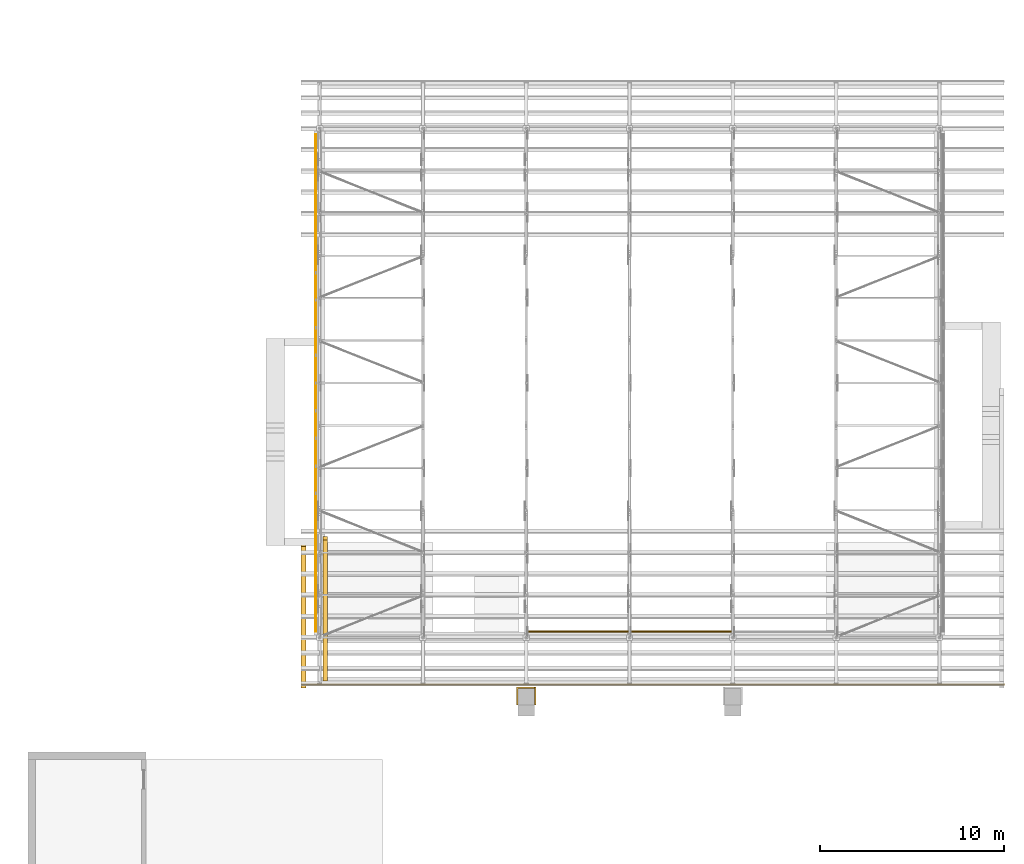
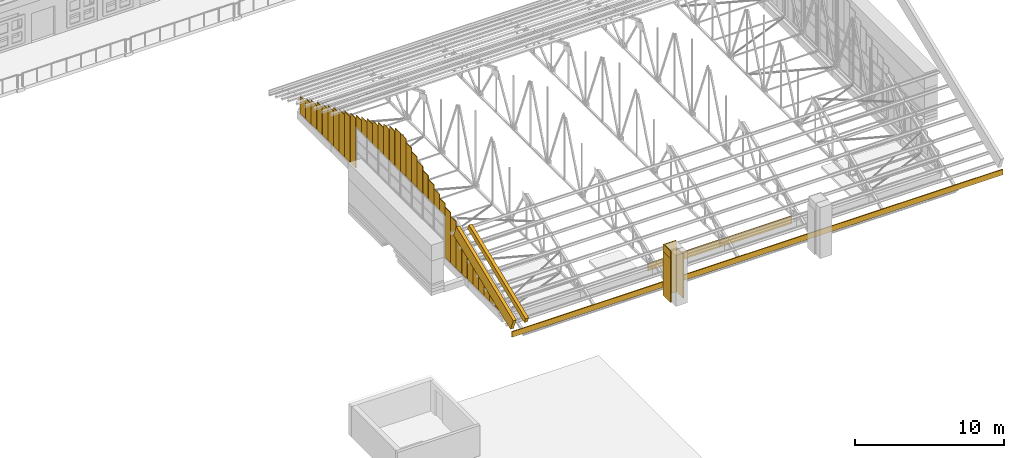
# One storey, part 65 of 71: 36 shading devices, 7 coverings.
"""IFC4 building model written with IfcOpenShell, lengths in metres."""

from ifc_helpers import new_model, si_unit, direction, frame, origin, origin_2d, place, context, subcontext, project, spatial, polyline, rectangle, outline, extrude, material, layer, layer_set, material_profile, profile_set, type_object, element, save


model = new_model("IFC4")

# Units and contexts
model_context = context("Model", 3, precision=1e-05, world=origin(), true_north=direction((0.0, 1.0)))
body_context = subcontext(model_context, "Body", "Model", "MODEL_VIEW")
ifc_project = project(units=[si_unit("LENGTHUNIT", "METRE"), si_unit("AREAUNIT", "SQUARE_METRE"), si_unit("VOLUMEUNIT", "CUBIC_METRE"), si_unit("PLANEANGLEUNIT", "RADIAN"), si_unit("MASSUNIT", "GRAM", prefix="KILO")], contexts=[model_context])

# Site, building, storey
site_placement = place(None, origin())
site = spatial("IfcSite", under=ifc_project, at=site_placement, CompositionType="ELEMENT")
building_placement = place(site_placement, origin())
building = spatial("IfcBuilding", under=site, at=building_placement, Name="Wasatch Bagh Community Centre", CompositionType="ELEMENT")
storey_placement = place(building_placement, frame((0.0, 0.0, 12.60009765625)))
storey = spatial("IfcBuildingStorey", under=building, at=storey_placement, Name="L03", CompositionType="ELEMENT", Elevation=12.60009765625)

# Coverings
ifc_material_1 = material(Name="Cast stone cladding", Category="masonry")
ifc_layer_1 = layer(ifc_material_1, 0.080078125)
ifc_layer_set_1 = layer_set([ifc_layer_1], Name="Cast stone cladding")
covering_type_1 = type_object("IfcCoveringType", Name="CL-B7 beam facing", PredefinedType="CLADDING", material=ifc_layer_set_1)
covering_1_placement = place(storey_placement, origin())
element("IfcCovering", 1, at=covering_1_placement, inside=storey, type_object=covering_type_1, Name="Beam facing", PredefinedType="CLADDING", context=body_context, shape_type="SweptSolid", body=[
    extrude(outline(polyline([(123.39990234375, 38.5), (129.0, 38.5), (129.0, 38.580078125), (123.39990234375, 38.580078125), (123.39990234375, 38.5)])), origin(), (0.0, 0.0, 1.0), 0.599853515625),
])
covering_2_placement = place(storey_placement, origin())
element("IfcCovering", 2, at=covering_2_placement, inside=storey, type_object=covering_type_1, Name="Beam facing", PredefinedType="CLADDING", context=body_context, shape_type="SweptSolid", body=[
    extrude(outline(polyline([(129.0, 38.5), (134.60009765625, 38.5), (134.60009765625, 38.580078125), (129.0, 38.580078125), (129.0, 38.5)])), origin(), (0.0, 0.0, 1.0), 0.599853515625),
])
ifc_layer_2 = layer(ifc_material_1, 0.080078125)
ifc_layer_set_2 = layer_set([ifc_layer_2], Name="Cast stone cladding")
covering_type_2 = type_object("IfcCoveringType", Name="CL-C1 column facing", PredefinedType="CLADDING", material=ifc_layer_set_2)
covering_3_placement = place(storey_placement, origin())
element("IfcCovering", 3, at=covering_3_placement, inside=storey, type_object=covering_type_2, Name="Column facing", PredefinedType="CLADDING", context=body_context, shape_type="SweptSolid", body=[
    extrude(outline(polyline([(122.8701171875, 34.550048828125), (122.8701171875, 35.530029296875), (123.929931640625, 35.530029296875), (123.929931640625, 34.550048828125), (123.85009765625, 34.550048828125), (123.85009765625, 35.449951171875), (122.949951171875, 35.449951171875), (122.949951171875, 34.550048828125), (122.8701171875, 34.550048828125)])), origin(), (0.0, 0.0, 1.0), 3.599853515625),
])
covering_4_placement = place(storey_placement, frame((0.0, 0.0, 3.599853515625)))
element("IfcCovering", 4, at=covering_4_placement, inside=storey, type_object=covering_type_2, Name="Column facing", PredefinedType="CLADDING", context=body_context, shape_type="SweptSolid", body=[
    extrude(outline(polyline([(122.949951171875, 34.550048828125), (122.8701171875, 34.550048828125), (122.8701171875, 35.530029296875), (123.85009765625, 35.530029296875), (123.85009765625, 35.449951171875), (122.949951171875, 35.449951171875), (122.949951171875, 34.550048828125)])), origin(), (0.0, 0.0, 1.0), 0.60009765625),
])
ifc_material_2 = material(Name="ASTM A653 Grade 50 steel, zinc-aluminium coated", Category="steel")
ifc_layer_3 = layer(ifc_material_2, 0.080078125)
ifc_layer_set_3 = layer_set([ifc_layer_3], Name="ASTM A653 Grade 50 steel, zinc-aluminium coated")
covering_type_3 = type_object("IfcCoveringType", Name="SH eave fascia 450x80", PredefinedType="CLADDING", material=ifc_layer_set_3)
covering_5_placement = place(storey_placement, frame((130.25, 35.659912109375, 0.58056640625), z_axis=(0.0, 0.0, 1.0), x_axis=(1.0, 0.0, 0.0)))
element("IfcCovering", 5, at=covering_5_placement, inside=storey, type_object=covering_type_3, Name="Eave fascia S", PredefinedType="CLADDING", context=body_context, shape_type="SweptSolid", body=[
    extrude(rectangle(XDim=38.10009765625, YDim=0.080078125, at=origin_2d()), origin(), (0.0, 0.0, 1.0), 0.449951171875),
])

# Shading devices
ifc_material_3 = material(Name="Precast concrete C40/50", Category="concrete")
ifc_layer_4 = layer(ifc_material_3, 0.050048828125)
ifc_layer_set_4 = layer_set([ifc_layer_4], Name="Precast concrete C40/50")
shading_device_type = type_object("IfcShadingDeviceType", Name="SH gable jali screen 50", PredefinedType="USERDEFINED", material=ifc_layer_set_4)
shading_device_1_placement = place(storey_placement, frame((112.0, 38.875, 0.60009765625), z_axis=(0.0, 0.0, 1.0), x_axis=(1.0, 0.0, 0.0)))
element("IfcShadingDevice", 6, at=shading_device_1_placement, inside=storey, type_object=shading_device_type, Name="Gable jali screen", ObjectType="Gable jali screen", PredefinedType="USERDEFINED", context=body_context, shape_type="SweptSolid", body=[
    extrude(rectangle(XDim=0.050048828125, YDim=0.72998046875, at=origin_2d()), origin(), (0.0, 0.0, 1.0), 1.370361328125),
])
shading_device_2_placement = place(storey_placement, frame((112.0, 39.625, 0.599853515625), z_axis=(0.0, 0.0, 1.0), x_axis=(1.0, 0.0, 0.0)))
element("IfcShadingDevice", 7, at=shading_device_2_placement, inside=storey, type_object=shading_device_type, Name="Gable jali screen", ObjectType="Gable jali screen", PredefinedType="USERDEFINED", context=body_context, shape_type="SweptSolid", body=[
    extrude(rectangle(XDim=0.050048828125, YDim=0.72998046875, at=origin_2d()), origin(), (0.0, 0.0, 1.0), 1.67333984375),
])
shading_device_3_placement = place(storey_placement, frame((112.0, 40.375, 0.60009765625), z_axis=(0.0, 0.0, 1.0), x_axis=(1.0, 0.0, 0.0)))
element("IfcShadingDevice", 8, at=shading_device_3_placement, inside=storey, type_object=shading_device_type, Name="Gable jali screen", ObjectType="Gable jali screen", PredefinedType="USERDEFINED", context=body_context, shape_type="SweptSolid", body=[
    extrude(rectangle(XDim=0.050048828125, YDim=0.72998046875, at=origin_2d()), origin(), (0.0, 0.0, 1.0), 1.976318359375),
])
shading_device_4_placement = place(storey_placement, frame((112.0, 41.125, 0.599609375), z_axis=(0.0, 0.0, 1.0), x_axis=(1.0, 0.0, 0.0)))
element("IfcShadingDevice", 9, at=shading_device_4_placement, inside=storey, type_object=shading_device_type, Name="Gable jali screen", ObjectType="Gable jali screen", PredefinedType="USERDEFINED", context=body_context, shape_type="SweptSolid", body=[
    extrude(rectangle(XDim=0.050048828125, YDim=0.72998046875, at=origin_2d()), origin(), (0.0, 0.0, 1.0), 2.279541015625),
])
shading_device_5_placement = place(storey_placement, frame((112.0, 41.875, 0.599853515625), z_axis=(0.0, 0.0, 1.0), x_axis=(1.0, 0.0, 0.0)))
element("IfcShadingDevice", 10, at=shading_device_5_placement, inside=storey, type_object=shading_device_type, Name="Gable jali screen", ObjectType="Gable jali screen", PredefinedType="USERDEFINED", context=body_context, shape_type="SweptSolid", body=[
    extrude(rectangle(XDim=0.050048828125, YDim=0.72998046875, at=origin_2d()), origin(), (0.0, 0.0, 1.0), 2.58251953125),
])
shading_device_6_placement = place(storey_placement, frame((112.0, 42.625, 0.60009765625), z_axis=(0.0, 0.0, 1.0), x_axis=(1.0, 0.0, 0.0)))
element("IfcShadingDevice", 11, at=shading_device_6_placement, inside=storey, type_object=shading_device_type, Name="Gable jali screen", ObjectType="Gable jali screen", PredefinedType="USERDEFINED", context=body_context, shape_type="SweptSolid", body=[
    extrude(rectangle(XDim=0.050048828125, YDim=0.72998046875, at=origin_2d()), origin(), (0.0, 0.0, 1.0), 2.885498046875),
])
shading_device_7_placement = place(storey_placement, frame((112.0, 43.375, 0.599853515625), z_axis=(0.0, 0.0, 1.0), x_axis=(1.0, 0.0, 0.0)))
element("IfcShadingDevice", 12, at=shading_device_7_placement, inside=storey, type_object=shading_device_type, Name="Gable jali screen", ObjectType="Gable jali screen", PredefinedType="USERDEFINED", context=body_context, shape_type="SweptSolid", body=[
    extrude(rectangle(XDim=0.050048828125, YDim=0.72998046875, at=origin_2d()), origin(), (0.0, 0.0, 1.0), 3.1884765625),
])
shading_device_8_placement = place(storey_placement, frame((112.0, 44.125, 0.60009765625), z_axis=(0.0, 0.0, 1.0), x_axis=(1.0, 0.0, 0.0)))
element("IfcShadingDevice", 13, at=shading_device_8_placement, inside=storey, type_object=shading_device_type, Name="Gable jali screen", ObjectType="Gable jali screen", PredefinedType="USERDEFINED", context=body_context, shape_type="SweptSolid", body=[
    extrude(rectangle(XDim=0.050048828125, YDim=0.72998046875, at=origin_2d()), origin(), (0.0, 0.0, 1.0), 3.491455078125),
])
shading_device_9_placement = place(storey_placement, frame((112.0, 44.875, 0.599853515625), z_axis=(0.0, 0.0, 1.0), x_axis=(1.0, 0.0, 0.0)))
element("IfcShadingDevice", 14, at=shading_device_9_placement, inside=storey, type_object=shading_device_type, Name="Gable jali screen", ObjectType="Gable jali screen", PredefinedType="USERDEFINED", context=body_context, shape_type="SweptSolid", body=[
    extrude(rectangle(XDim=0.050048828125, YDim=0.72998046875, at=origin_2d()), origin(), (0.0, 0.0, 1.0), 3.79443359375),
])
shading_device_10_placement = place(storey_placement, frame((112.0, 45.625, 0.599853515625), z_axis=(0.0, 0.0, 1.0), x_axis=(1.0, 0.0, 0.0)))
element("IfcShadingDevice", 15, at=shading_device_10_placement, inside=storey, type_object=shading_device_type, Name="Gable jali screen", ObjectType="Gable jali screen", PredefinedType="USERDEFINED", context=body_context, shape_type="SweptSolid", body=[
    extrude(rectangle(XDim=0.050048828125, YDim=0.72998046875, at=origin_2d()), origin(), (0.0, 0.0, 1.0), 4.09765625),
])
shading_device_11_placement = place(storey_placement, frame((112.0, 46.375, 4.0), z_axis=(0.0, 0.0, 1.0), x_axis=(1.0, 0.0, 0.0)))
element("IfcShadingDevice", 16, at=shading_device_11_placement, inside=storey, type_object=shading_device_type, Name="Gable jali screen", ObjectType="Gable jali screen", PredefinedType="USERDEFINED", context=body_context, shape_type="SweptSolid", body=[
    extrude(rectangle(XDim=0.050048828125, YDim=0.72998046875, at=origin_2d()), origin(), (0.0, 0.0, 1.0), 1.00048828125),
])
shading_device_12_placement = place(storey_placement, frame((112.0, 47.125, 4.0), z_axis=(0.0, 0.0, 1.0), x_axis=(1.0, 0.0, 0.0)))
element("IfcShadingDevice", 17, at=shading_device_12_placement, inside=storey, type_object=shading_device_type, Name="Gable jali screen", ObjectType="Gable jali screen", PredefinedType="USERDEFINED", context=body_context, shape_type="SweptSolid", body=[
    extrude(rectangle(XDim=0.050048828125, YDim=0.72998046875, at=origin_2d()), origin(), (0.0, 0.0, 1.0), 1.303466796875),
])
shading_device_13_placement = place(storey_placement, frame((112.0, 47.875, 4.0), z_axis=(0.0, 0.0, 1.0), x_axis=(1.0, 0.0, 0.0)))
element("IfcShadingDevice", 18, at=shading_device_13_placement, inside=storey, type_object=shading_device_type, Name="Gable jali screen", ObjectType="Gable jali screen", PredefinedType="USERDEFINED", context=body_context, shape_type="SweptSolid", body=[
    extrude(rectangle(XDim=0.050048828125, YDim=0.72998046875, at=origin_2d()), origin(), (0.0, 0.0, 1.0), 1.606689453125),
])
shading_device_14_placement = place(storey_placement, frame((112.0, 48.625, 4.0), z_axis=(0.0, 0.0, 1.0), x_axis=(1.0, 0.0, 0.0)))
element("IfcShadingDevice", 19, at=shading_device_14_placement, inside=storey, type_object=shading_device_type, Name="Gable jali screen", ObjectType="Gable jali screen", PredefinedType="USERDEFINED", context=body_context, shape_type="SweptSolid", body=[
    extrude(rectangle(XDim=0.050048828125, YDim=0.72998046875, at=origin_2d()), origin(), (0.0, 0.0, 1.0), 1.90966796875),
])
shading_device_15_placement = place(storey_placement, frame((112.0, 49.375, 4.0), z_axis=(0.0, 0.0, 1.0), x_axis=(1.0, 0.0, 0.0)))
element("IfcShadingDevice", 20, at=shading_device_15_placement, inside=storey, type_object=shading_device_type, Name="Gable jali screen", ObjectType="Gable jali screen", PredefinedType="USERDEFINED", context=body_context, shape_type="SweptSolid", body=[
    extrude(rectangle(XDim=0.050048828125, YDim=0.72998046875, at=origin_2d()), origin(), (0.0, 0.0, 1.0), 2.212646484375),
])
shading_device_16_placement = place(storey_placement, frame((112.0, 50.125, 4.0), z_axis=(0.0, 0.0, 1.0), x_axis=(1.0, 0.0, 0.0)))
element("IfcShadingDevice", 21, at=shading_device_16_placement, inside=storey, type_object=shading_device_type, Name="Gable jali screen", ObjectType="Gable jali screen", PredefinedType="USERDEFINED", context=body_context, shape_type="SweptSolid", body=[
    extrude(rectangle(XDim=0.050048828125, YDim=0.72998046875, at=origin_2d()), origin(), (0.0, 0.0, 1.0), 2.515625),
])
shading_device_17_placement = place(storey_placement, frame((112.0, 50.875, 4.0), z_axis=(0.0, 0.0, 1.0), x_axis=(1.0, 0.0, 0.0)))
element("IfcShadingDevice", 22, at=shading_device_17_placement, inside=storey, type_object=shading_device_type, Name="Gable jali screen", ObjectType="Gable jali screen", PredefinedType="USERDEFINED", context=body_context, shape_type="SweptSolid", body=[
    extrude(rectangle(XDim=0.050048828125, YDim=0.72998046875, at=origin_2d()), origin(), (0.0, 0.0, 1.0), 2.818603515625),
])
for number, where, z_axis, x_axis, name in (
    (23, (112.0, 51.625, 4.0), (0.0, 0.0, 1.0), (1.0, 0.0, 0.0), "Gable jali screen"),
    (24, (112.0, 52.375, 4.0), (0.0, 0.0, 1.0), (1.0, 0.0, 0.0), "Gable jali screen"),
):
    element("IfcShadingDevice", number, at=place(storey_placement, frame(where, z_axis=z_axis, x_axis=x_axis)), inside=storey, type_object=shading_device_type, Name=name, ObjectType="Gable jali screen", PredefinedType="USERDEFINED", context=body_context, shape_type="SweptSolid", body=[
        extrude(rectangle(XDim=0.050048828125, YDim=0.72998046875, at=origin_2d()), origin(), (0.0, 0.0, 1.0), 3.12158203125),
    ])
shading_device_18_placement = place(storey_placement, frame((112.0, 53.125, 4.0), z_axis=(0.0, 0.0, 1.0), x_axis=(1.0, 0.0, 0.0)))
element("IfcShadingDevice", 25, at=shading_device_18_placement, inside=storey, type_object=shading_device_type, Name="Gable jali screen", ObjectType="Gable jali screen", PredefinedType="USERDEFINED", context=body_context, shape_type="SweptSolid", body=[
    extrude(rectangle(XDim=0.050048828125, YDim=0.72998046875, at=origin_2d()), origin(), (0.0, 0.0, 1.0), 2.818603515625),
])
shading_device_19_placement = place(storey_placement, frame((112.0, 53.875, 4.0), z_axis=(0.0, 0.0, 1.0), x_axis=(1.0, 0.0, 0.0)))
element("IfcShadingDevice", 26, at=shading_device_19_placement, inside=storey, type_object=shading_device_type, Name="Gable jali screen", ObjectType="Gable jali screen", PredefinedType="USERDEFINED", context=body_context, shape_type="SweptSolid", body=[
    extrude(rectangle(XDim=0.050048828125, YDim=0.72998046875, at=origin_2d()), origin(), (0.0, 0.0, 1.0), 2.515625),
])
shading_device_20_placement = place(storey_placement, frame((112.0, 54.625, 4.0), z_axis=(0.0, 0.0, 1.0), x_axis=(1.0, 0.0, 0.0)))
element("IfcShadingDevice", 27, at=shading_device_20_placement, inside=storey, type_object=shading_device_type, Name="Gable jali screen", ObjectType="Gable jali screen", PredefinedType="USERDEFINED", context=body_context, shape_type="SweptSolid", body=[
    extrude(rectangle(XDim=0.050048828125, YDim=0.72998046875, at=origin_2d()), origin(), (0.0, 0.0, 1.0), 2.212646484375),
])
shading_device_21_placement = place(storey_placement, frame((112.0, 55.375, 4.0), z_axis=(0.0, 0.0, 1.0), x_axis=(1.0, 0.0, 0.0)))
element("IfcShadingDevice", 28, at=shading_device_21_placement, inside=storey, type_object=shading_device_type, Name="Gable jali screen", ObjectType="Gable jali screen", PredefinedType="USERDEFINED", context=body_context, shape_type="SweptSolid", body=[
    extrude(rectangle(XDim=0.050048828125, YDim=0.72998046875, at=origin_2d()), origin(), (0.0, 0.0, 1.0), 1.90966796875),
])
shading_device_22_placement = place(storey_placement, frame((112.0, 56.125, 4.0), z_axis=(0.0, 0.0, 1.0), x_axis=(1.0, 0.0, 0.0)))
element("IfcShadingDevice", 29, at=shading_device_22_placement, inside=storey, type_object=shading_device_type, Name="Gable jali screen", ObjectType="Gable jali screen", PredefinedType="USERDEFINED", context=body_context, shape_type="SweptSolid", body=[
    extrude(rectangle(XDim=0.050048828125, YDim=0.72998046875, at=origin_2d()), origin(), (0.0, 0.0, 1.0), 1.606689453125),
])
shading_device_23_placement = place(storey_placement, frame((112.0, 56.875, 4.0), z_axis=(0.0, 0.0, 1.0), x_axis=(1.0, 0.0, 0.0)))
element("IfcShadingDevice", 30, at=shading_device_23_placement, inside=storey, type_object=shading_device_type, Name="Gable jali screen", ObjectType="Gable jali screen", PredefinedType="USERDEFINED", context=body_context, shape_type="SweptSolid", body=[
    extrude(rectangle(XDim=0.050048828125, YDim=0.72998046875, at=origin_2d()), origin(), (0.0, 0.0, 1.0), 1.303466796875),
])
shading_device_24_placement = place(storey_placement, frame((112.0, 57.625, 4.0), z_axis=(0.0, 0.0, 1.0), x_axis=(1.0, 0.0, 0.0)))
element("IfcShadingDevice", 31, at=shading_device_24_placement, inside=storey, type_object=shading_device_type, Name="Gable jali screen", ObjectType="Gable jali screen", PredefinedType="USERDEFINED", context=body_context, shape_type="SweptSolid", body=[
    extrude(rectangle(XDim=0.050048828125, YDim=0.72998046875, at=origin_2d()), origin(), (0.0, 0.0, 1.0), 1.00048828125),
])
shading_device_25_placement = place(storey_placement, frame((112.0, 58.375, 0.599853515625), z_axis=(0.0, 0.0, 1.0), x_axis=(1.0, 0.0, 0.0)))
element("IfcShadingDevice", 32, at=shading_device_25_placement, inside=storey, type_object=shading_device_type, Name="Gable jali screen", ObjectType="Gable jali screen", PredefinedType="USERDEFINED", context=body_context, shape_type="SweptSolid", body=[
    extrude(rectangle(XDim=0.050048828125, YDim=0.72998046875, at=origin_2d()), origin(), (0.0, 0.0, 1.0), 4.09765625),
])
shading_device_26_placement = place(storey_placement, frame((112.0, 59.125, 0.599853515625), z_axis=(0.0, 0.0, 1.0), x_axis=(1.0, 0.0, 0.0)))
element("IfcShadingDevice", 33, at=shading_device_26_placement, inside=storey, type_object=shading_device_type, Name="Gable jali screen", ObjectType="Gable jali screen", PredefinedType="USERDEFINED", context=body_context, shape_type="SweptSolid", body=[
    extrude(rectangle(XDim=0.050048828125, YDim=0.72998046875, at=origin_2d()), origin(), (0.0, 0.0, 1.0), 3.79443359375),
])
shading_device_27_placement = place(storey_placement, frame((112.0, 59.875, 0.60009765625), z_axis=(0.0, 0.0, 1.0), x_axis=(1.0, 0.0, 0.0)))
element("IfcShadingDevice", 34, at=shading_device_27_placement, inside=storey, type_object=shading_device_type, Name="Gable jali screen", ObjectType="Gable jali screen", PredefinedType="USERDEFINED", context=body_context, shape_type="SweptSolid", body=[
    extrude(rectangle(XDim=0.050048828125, YDim=0.72998046875, at=origin_2d()), origin(), (0.0, 0.0, 1.0), 3.491455078125),
])
shading_device_28_placement = place(storey_placement, frame((112.0, 60.625, 0.599853515625), z_axis=(0.0, 0.0, 1.0), x_axis=(1.0, 0.0, 0.0)))
element("IfcShadingDevice", 35, at=shading_device_28_placement, inside=storey, type_object=shading_device_type, Name="Gable jali screen", ObjectType="Gable jali screen", PredefinedType="USERDEFINED", context=body_context, shape_type="SweptSolid", body=[
    extrude(rectangle(XDim=0.050048828125, YDim=0.72998046875, at=origin_2d()), origin(), (0.0, 0.0, 1.0), 3.1884765625),
])
shading_device_29_placement = place(storey_placement, frame((112.0, 61.375, 0.60009765625), z_axis=(0.0, 0.0, 1.0), x_axis=(1.0, 0.0, 0.0)))
element("IfcShadingDevice", 36, at=shading_device_29_placement, inside=storey, type_object=shading_device_type, Name="Gable jali screen", ObjectType="Gable jali screen", PredefinedType="USERDEFINED", context=body_context, shape_type="SweptSolid", body=[
    extrude(rectangle(XDim=0.050048828125, YDim=0.72998046875, at=origin_2d()), origin(), (0.0, 0.0, 1.0), 2.885498046875),
])
shading_device_30_placement = place(storey_placement, frame((112.0, 62.125, 0.599853515625), z_axis=(0.0, 0.0, 1.0), x_axis=(1.0, 0.0, 0.0)))
element("IfcShadingDevice", 37, at=shading_device_30_placement, inside=storey, type_object=shading_device_type, Name="Gable jali screen", ObjectType="Gable jali screen", PredefinedType="USERDEFINED", context=body_context, shape_type="SweptSolid", body=[
    extrude(rectangle(XDim=0.050048828125, YDim=0.72998046875, at=origin_2d()), origin(), (0.0, 0.0, 1.0), 2.58251953125),
])
shading_device_31_placement = place(storey_placement, frame((112.0, 62.875, 0.599609375), z_axis=(0.0, 0.0, 1.0), x_axis=(1.0, 0.0, 0.0)))
element("IfcShadingDevice", 38, at=shading_device_31_placement, inside=storey, type_object=shading_device_type, Name="Gable jali screen", ObjectType="Gable jali screen", PredefinedType="USERDEFINED", context=body_context, shape_type="SweptSolid", body=[
    extrude(rectangle(XDim=0.050048828125, YDim=0.72998046875, at=origin_2d()), origin(), (0.0, 0.0, 1.0), 2.279541015625),
])
shading_device_32_placement = place(storey_placement, frame((112.0, 63.625, 0.60009765625), z_axis=(0.0, 0.0, 1.0), x_axis=(1.0, 0.0, 0.0)))
element("IfcShadingDevice", 39, at=shading_device_32_placement, inside=storey, type_object=shading_device_type, Name="Gable jali screen", ObjectType="Gable jali screen", PredefinedType="USERDEFINED", context=body_context, shape_type="SweptSolid", body=[
    extrude(rectangle(XDim=0.050048828125, YDim=0.72998046875, at=origin_2d()), origin(), (0.0, 0.0, 1.0), 1.976318359375),
])
shading_device_33_placement = place(storey_placement, frame((112.0, 64.375, 0.599853515625), z_axis=(0.0, 0.0, 1.0), x_axis=(1.0, 0.0, 0.0)))
element("IfcShadingDevice", 40, at=shading_device_33_placement, inside=storey, type_object=shading_device_type, Name="Gable jali screen", ObjectType="Gable jali screen", PredefinedType="USERDEFINED", context=body_context, shape_type="SweptSolid", body=[
    extrude(rectangle(XDim=0.050048828125, YDim=0.72998046875, at=origin_2d()), origin(), (0.0, 0.0, 1.0), 1.67333984375),
])
shading_device_34_placement = place(storey_placement, frame((112.0, 65.125, 0.60009765625), z_axis=(0.0, 0.0, 1.0), x_axis=(1.0, 0.0, 0.0)))
element("IfcShadingDevice", 41, at=shading_device_34_placement, inside=storey, type_object=shading_device_type, Name="Gable jali screen", ObjectType="Gable jali screen", PredefinedType="USERDEFINED", context=body_context, shape_type="SweptSolid", body=[
    extrude(rectangle(XDim=0.050048828125, YDim=0.72998046875, at=origin_2d()), origin(), (0.0, 0.0, 1.0), 1.370361328125),
])

# Coverings
ifc_material_4 = material(Name="Glass-fibre reinforced concrete", Category="concrete")
ifc_material_profile = material_profile(ifc_material_4, rectangle(XDim=0.25, YDim=1.0, at=origin_2d()), Name="PARAPET 250x1000")
ifc_profile_set = profile_set([ifc_material_profile], Name="Glass-fibre reinforced concrete")
covering_type_4 = type_object("IfcCoveringType", Name="SH gable parapet 250x1000", PredefinedType="CLADDING", material=ifc_profile_set)
covering_6_placement = place(storey_placement, frame((111.324951171875, 35.66259765625, 1.554931640625), z_axis=(0.0, 0.927185517283, 0.374602478022), x_axis=(-1.0, 0.0, 0.0)))
element("IfcCovering", 42, at=covering_6_placement, inside=storey, type_object=covering_type_4, Name="Gable parapet W 1", PredefinedType="CLADDING", context=body_context, shape_type="SweptSolid", body=[
    extrude(rectangle(XDim=0.25, YDim=1.0, at=origin_2d()), origin(), (0.0, 0.0, 1.0), 8.2509765625),
])
covering_type_5 = type_object("IfcCoveringType", Name="SH roof rib 250x450", PredefinedType="ROOFING", material=ifc_material_2)
covering_7_placement = place(storey_placement, frame((112.375, 35.85009765625, 1.541259765625), z_axis=(0.0, -0.374612755467, 0.927181364913), x_axis=(0.0, 0.927181364913, 0.374612755467)))
element("IfcCovering", 43, at=covering_7_placement, inside=storey, type_object=covering_type_5, Name="Roof rib S75", PredefinedType="ROOFING", context=body_context, shape_type="SweptSolid", body=[
    extrude(outline(polyline([(0.0, 0.0), (8.25070761044617, 0.0), (8.25070761044617, -0.25), (0.0, -0.25), (0.0, 0.0)])), origin(), (0.0, 0.0, -1.0), 0.449951171875),
])

save(model, "model.ifc")
